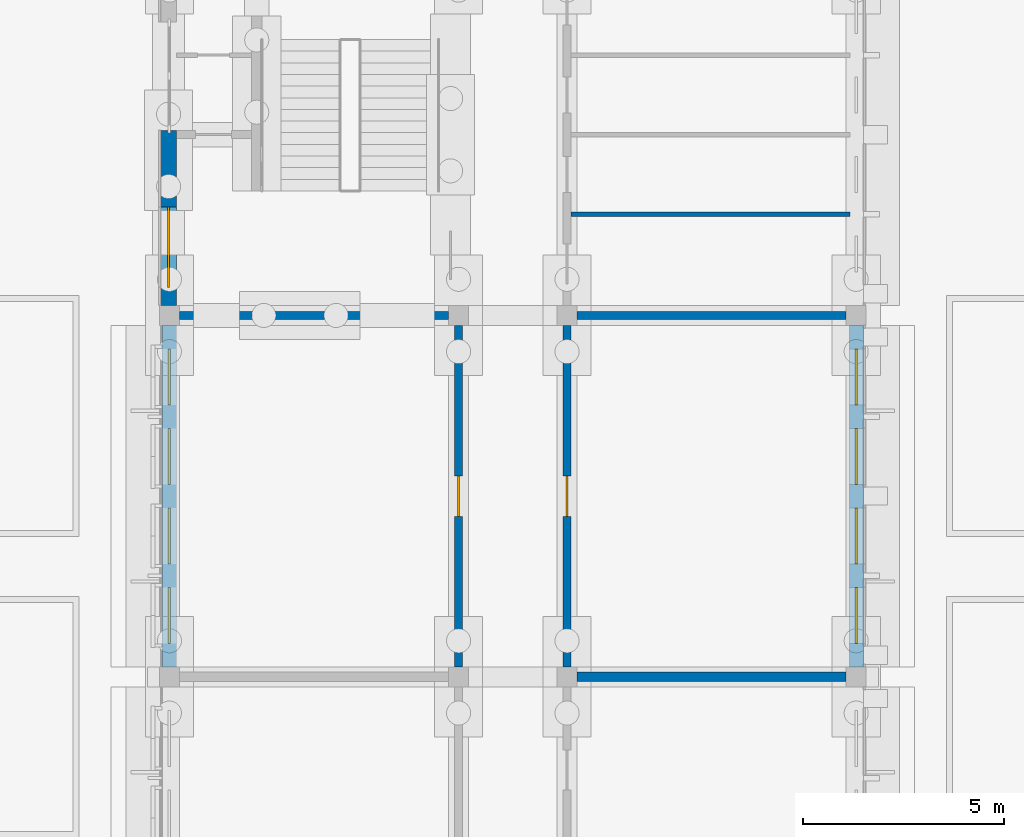
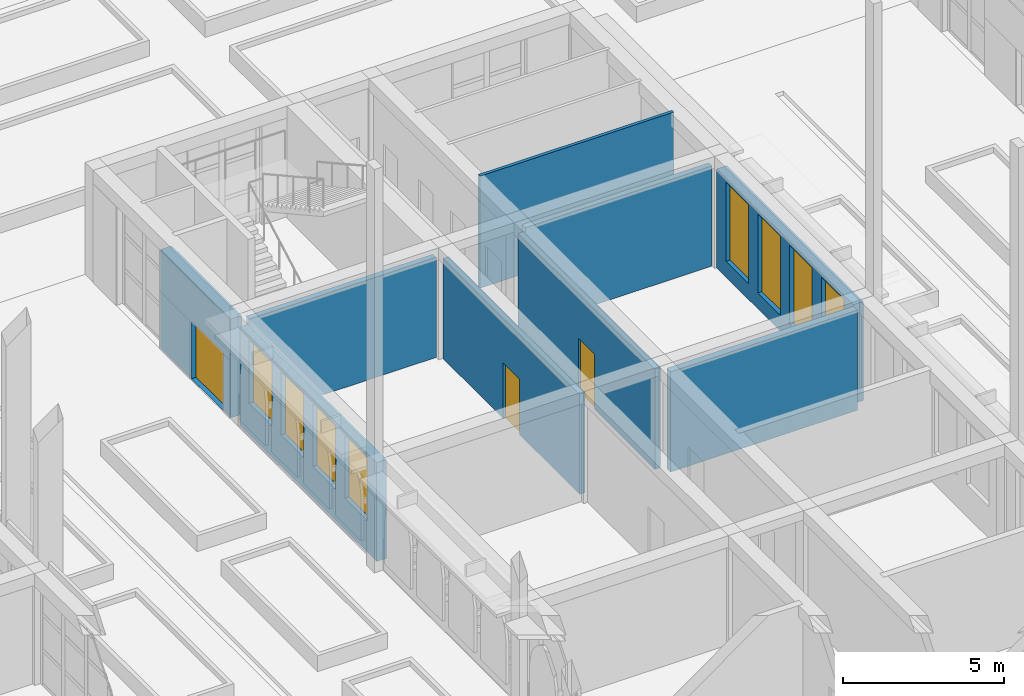
# One storey, part 64 of 161: 9 walls, 8 windows, 3 doors, 11 openings.
"""IFC4 building model written with IfcOpenShell, lengths in metres."""

import ifcopenshell
import ifcopenshell.guid

model = None  # the IFC model being written
_history = None  # IfcOwnerHistory: only IFC2X3 demands one
_inside = {}  # id of a spatial element -> (the spatial element, [elements in it])
_under = {}  # id of a project, library or spatial element -> (it, [spatial elements below it])
_declared = {}  # id of a project -> (the project, [libraries it declares])
_typed = {}  # id of a type object -> (the type object, [elements of that type])
_made_of = {}  # id of a material, layer set ... -> (it, [elements and type objects made of it])


def new_model(schema):
    """Start an empty IFC model of exactly this schema.

    Asked for "IFC4X3", IfcOpenShell would pick the latest addendum, in which some entities
    have other attributes; the version numbers below select the first issue.
    IFC2X3 requires an IfcOwnerHistory on every rooted entity: one is made here for all.
    """
    global model, _history
    if schema == "IFC4X3":
        model = ifcopenshell.file(schema_version=(4, 3, 0, 0))
    else:
        model = ifcopenshell.file(schema=schema)
    _inside.clear()
    _under.clear()
    _declared.clear()
    _typed.clear()
    _made_of.clear()
    _history = None
    if model.schema == "IFC2X3":
        org = make("IfcOrganization", Name="unknown")
        user = make(
            "IfcPersonAndOrganization",
            ThePerson=make("IfcPerson", FamilyName="unknown"),
            TheOrganization=org,
        )
        app = make(
            "IfcApplication",
            ApplicationDeveloper=org,
            Version="unknown",
            ApplicationFullName="unknown",
            ApplicationIdentifier="unknown",
        )
        _history = make(
            "IfcOwnerHistory",
            OwningUser=user,
            OwningApplication=app,
            ChangeAction="ADDED",
            CreationDate=0,
        )
    return model


def make(cls, **values):
    """One entity of the class cls with the attributes given. An attribute that is None is left unset."""
    return model.create_entity(
        cls, **{name: value for name, value in values.items() if value is not None}
    )


def rooted(cls, **values):
    """An entity with a GlobalId (a new one), such as an element, a storey or a relation."""
    return make(cls, GlobalId=ifcopenshell.guid.new(), OwnerHistory=_history, **values)


def si_unit(unit_type, name, prefix=None):
    """IfcSIUnit, for example si_unit("LENGTHUNIT", "METRE", prefix="MILLI")."""
    return make("IfcSIUnit", UnitType=unit_type, Prefix=prefix, Name=name)


def assignment(units):
    """IfcUnitAssignment: the units of a project."""
    return None if units is None else make("IfcUnitAssignment", Units=units)


def point(xyz):
    """IfcCartesianPoint."""
    return None if xyz is None else make("IfcCartesianPoint", Coordinates=xyz)


def direction(xyz):
    """IfcDirection."""
    return None if xyz is None else make("IfcDirection", DirectionRatios=xyz)


def frame(location, z_axis=None, x_axis=None):
    """IfcAxis2Placement3D, a coordinate frame: its origin and axes. An axis left out is left unset."""
    return make(
        "IfcAxis2Placement3D",
        Location=point(location),
        Axis=direction(z_axis),
        RefDirection=direction(x_axis),
    )


def frame_2d(location, x_axis=None):
    """IfcAxis2Placement2D, a coordinate frame in the plane: its origin and x axis."""
    return make(
        "IfcAxis2Placement2D", Location=point(location), RefDirection=direction(x_axis)
    )


def origin():
    """The frame at (0, 0, 0) with its axes left unset."""
    return frame((0.0, 0.0, 0.0))


def place(relative_to, where):
    """IfcLocalPlacement: puts the frame where relative to a parent placement (None: the world)."""
    return make(
        "IfcLocalPlacement", PlacementRelTo=relative_to, RelativePlacement=where
    )


def context(
    kind, dimensions, precision=None, world=None, true_north=None, identifier=None
):
    """IfcGeometricRepresentationContext, for example the 3D "Model" context."""
    return make(
        "IfcGeometricRepresentationContext",
        ContextIdentifier=identifier,
        ContextType=kind,
        CoordinateSpaceDimension=dimensions,
        Precision=precision,
        WorldCoordinateSystem=world,
        TrueNorth=true_north,
    )


def subcontext(parent, identifier, kind, view, scale=None):
    """IfcGeometricRepresentationSubContext, for example "Body" below "Model"."""
    return make(
        "IfcGeometricRepresentationSubContext",
        ContextIdentifier=identifier,
        ContextType=kind,
        ParentContext=parent,
        TargetScale=scale,
        TargetView=view,
    )


def project(units=None, contexts=None):
    """IfcProject with its units and contexts."""
    return rooted(
        "IfcProject",
        Name="project",
        RepresentationContexts=contexts,
        UnitsInContext=assignment(units),
    )


def spatial(cls, under=None, at=None, **own):
    """A site, building, storey or space (cls), placed at a placement, below another one or the project."""
    s = rooted(cls, ObjectPlacement=at, **own)
    if under is not None:
        _under.setdefault(under.id(), (under, []))[1].append(s)
    return s


def profile(cls, at=None, kind="AREA", **sizes):
    """A parametric profile (cls). Its sizes go by their IFC names, for example OverallWidth=200.0."""
    return make(cls, ProfileType=kind, Position=at, **sizes)


def rectangle(**sizes):
    """IfcRectangleProfileDef."""
    return profile("IfcRectangleProfileDef", **sizes)


def extrude(swept, where, along, depth):
    """IfcExtrudedAreaSolid: the profile swept, set in the frame where, extruded along a direction by depth."""
    return make(
        "IfcExtrudedAreaSolid",
        SweptArea=swept,
        Position=where,
        ExtrudedDirection=direction(along),
        Depth=depth,
    )


def shape(context_of_items, identifier, shape_type, items):
    """IfcShapeRepresentation: the items that make up one representation, for example the "Body"."""
    return make(
        "IfcShapeRepresentation",
        ContextOfItems=context_of_items,
        RepresentationIdentifier=identifier,
        RepresentationType=shape_type,
        Items=items,
    )


def material(Name=None, Category=None):
    """IfcMaterial."""
    return make("IfcMaterial", Name=Name, Category=Category)


def layer(
    of_material, thickness, ventilated=None, Name=None, Category=None, Priority=None
):
    """IfcMaterialLayer: one layer of a wall or slab, of a material (None: an air gap)."""
    return make(
        "IfcMaterialLayer",
        Material=of_material,
        LayerThickness=thickness,
        IsVentilated=ventilated,
        Name=Name,
        Category=Category,
        Priority=Priority,
    )


def layer_set(layers, Name=None):
    """IfcMaterialLayerSet."""
    return make("IfcMaterialLayerSet", MaterialLayers=layers, LayerSetName=Name)


def made_of(thing, what):
    """Note that an element or type object is made of a material, layer set ...; save() writes the relation."""
    if what is not None:
        _made_of.setdefault(what.id(), (what, []))[1].append(thing)
    return thing


def type_object(cls, material=None, **own):
    """A type object (cls), such as IfcWallType, which elements share."""
    return made_of(rooted(cls, **own), material)


def element(
    cls,
    number,
    at=None,
    inside=None,
    cuts=None,
    type_object=None,
    material=None,
    context=None,
    identifier="Body",
    shape_type=None,
    held_by="IfcProductDefinitionShape",
    body=None,
    shapes=None,
    **own,
):
    """One element of the class cls, such as IfcWall. Its Tag is "e" and its number.

    at: its placement. inside: the storey or other place that contains it. cuts: it is an
    opening in that element (IfcRelVoidsElement). A single representation is given by context,
    identifier, shape_type and body (its items); several are given by shapes. held_by: the class
    of the entity that holds the representations. save() writes the other relations.
    """
    e = rooted(cls, Tag="e%d" % number, ObjectPlacement=at, **own)
    if body is not None:
        shapes = [shape(context, identifier, shape_type, body)]
    if shapes is not None:
        e.Representation = make(held_by, Representations=shapes)
    if inside is not None:
        _inside.setdefault(inside.id(), (inside, []))[1].append(e)
    if cuts is not None:
        rooted(
            "IfcRelVoidsElement", RelatingBuildingElement=cuts, RelatedOpeningElement=e
        )
    if type_object is not None:
        _typed.setdefault(type_object.id(), (type_object, []))[1].append(e)
    return made_of(e, material)


def fill(opening, filler):
    """IfcRelFillsElement: the door or window that sits in an opening."""
    return rooted(
        "IfcRelFillsElement",
        RelatingOpeningElement=opening,
        RelatedBuildingElement=filler,
    )


def aggregate(whole, parts):
    """IfcRelAggregates: a whole, such as a stair, and the parts it consists of."""
    return rooted("IfcRelAggregates", RelatingObject=whole, RelatedObjects=parts)


def save(model, path):
    """Write the relations noted so far, then the file.

    IfcRelAggregates (storeys below a building ...), IfcRelContainedInSpatialStructure (elements
    in a storey), IfcRelDefinesByType, IfcRelAssociatesMaterial and IfcRelDeclares: one each for
    every whole, place, type object, material and project.
    """
    for whole, parts in _under.values():
        aggregate(whole, parts)
    for where, things in _inside.values():
        rooted(
            "IfcRelContainedInSpatialStructure",
            RelatedElements=things,
            RelatingStructure=where,
        )
    for kind, things in _typed.values():
        rooted("IfcRelDefinesByType", RelatedObjects=things, RelatingType=kind)
    for what, things in _made_of.values():
        rooted("IfcRelAssociatesMaterial", RelatedObjects=things, RelatingMaterial=what)
    for by, libraries in _declared.values():
        rooted("IfcRelDeclares", RelatingContext=by, RelatedDefinitions=libraries)
    model.write(path)


model = new_model("IFC4")

# Units and contexts
model_context = context("Model", 3, precision=1e-05, world=origin(), true_north=direction((0.0, 1.0)))
body_context = subcontext(model_context, "Body", "Model", "MODEL_VIEW")
ifc_project = project(units=[si_unit("LENGTHUNIT", "METRE"), si_unit("AREAUNIT", "SQUARE_METRE"), si_unit("VOLUMEUNIT", "CUBIC_METRE"), si_unit("PLANEANGLEUNIT", "RADIAN"), si_unit("MASSUNIT", "GRAM", prefix="KILO")], contexts=[model_context])

# Site, building, storey
site_placement = place(None, origin())
site = spatial("IfcSite", under=ifc_project, at=site_placement, CompositionType="ELEMENT")
building_placement = place(site_placement, origin())
building = spatial("IfcBuilding", under=site, at=building_placement, Name="Elbe Cascade School", CompositionType="ELEMENT")
storey_placement = place(building_placement, origin())
storey = spatial("IfcBuildingStorey", under=building, at=storey_placement, Name="L00", CompositionType="ELEMENT", Elevation=0.0)

# Wall
ifc_material_1 = material(Name="Masonry - lime-sand block, plastered", Category="masonry")
ifc_layer_1 = layer(ifc_material_1, 0.239990234375)
ifc_layer_set_1 = layer_set([ifc_layer_1], Name="Masonry - lime-sand block, plastered")
wall_type_1 = type_object("IfcWallType", Name="Bar acoustic partition wall lime-sand block 240", PredefinedType="PARTITIONING", material=ifc_layer_set_1)
wall_1_placement = place(storey_placement, frame((108.75, 42.0, 0.0), z_axis=(0.0, 0.0, 1.0), x_axis=(1.0, 0.0, 0.0)))
element("IfcWall", 1, at=wall_1_placement, inside=storey, type_object=wall_type_1, Name="Bar acoustic partition wall lime-sand block 240", PredefinedType="PARTITIONING", context=body_context, shape_type="SweptSolid", body=[
    extrude(rectangle(XDim=6.699951171875, YDim=0.239990234375, at=frame_2d((3.35009765625, 0.0))), origin(), (0.0, 0.0, 1.0), 3.800048828125),
])

# Wall, opening, door
ifc_material_2 = material(Name="Masonry - lime-sand block, plastered", Category="masonry")
ifc_layer_2 = layer(ifc_material_2, 0.199951171875)
ifc_layer_set_2 = layer_set([ifc_layer_2], Name="Masonry - lime-sand block, plastered")
wall_type_2 = type_object("IfcWallType", Name="Bar corridor wall lime-sand block 200 EI 30", PredefinedType="PARTITIONING", material=ifc_layer_set_2)
wall_2_placement = place(storey_placement, frame((105.800048828125, 42.25, 0.0), z_axis=(0.0, 0.0, 1.0), x_axis=(0.0, 1.0, 0.0)))
wall_2 = element("IfcWall", 2, at=wall_2_placement, inside=storey, type_object=wall_type_2, Name="Bar corridor wall lime-sand block 200 EI 30", PredefinedType="PARTITIONING", context=body_context, shape_type="SweptSolid", body=[
    extrude(rectangle(XDim=8.5, YDim=0.199951171875, at=frame_2d((4.25, 0.0))), origin(), (0.0, 0.0, 1.0), 3.800048828125),
])
opening_1_placement = place(wall_2_placement, frame((3.75, 0.0, 0.0)))
opening_1 = element("IfcOpeningElement", 3, at=opening_1_placement, cuts=wall_2, Name="Opening D0.055", PredefinedType="OPENING", context=body_context, shape_type="SweptSolid", body=[
    extrude(rectangle(XDim=1.0, YDim=2.10009765625, at=frame_2d((0.5, 1.050048828125))), frame((0.0, 0.10986328125, 0.0), z_axis=(0.0, -1.0, 0.0), x_axis=(1.0, 0.0, 0.0)), (0.0, 0.0, 1.0), 0.219970703125),
])
ifc_material_3 = material(Name="Timber door leaf, fire-resisting, steel frame", Category="steel")
door_type_1 = type_object("IfcDoorType", Name="Bar door FD30 1000x2100", OperationType="NOTDEFINED", PredefinedType="DOOR", material=ifc_material_3)
door_1_placement = place(opening_1_placement, origin())
door_1 = element("IfcDoor", 4, at=door_1_placement, inside=storey, type_object=door_type_1, Name="Door B0.23", OperationType="SINGLE_SWING_RIGHT", OverallHeight=2.10009765625, OverallWidth=1.0, PredefinedType="DOOR", context=body_context, shape_type="SweptSolid", body=[
    extrude(rectangle(XDim=1.0, YDim=2.10009765625, at=frame_2d((0.5, 1.050048828125))), frame((0.0, 0.02490234375, 0.0), z_axis=(0.0, -1.0, 0.0), x_axis=(1.0, 0.0, 0.0)), (0.0, 0.0, 1.0), 0.050048828125),
])
fill(opening_1, door_1)

wall_3_placement = place(storey_placement, frame((108.5, 50.75, 0.0), z_axis=(0.0, 0.0, 1.0), x_axis=(0.0, -1.0, 0.0)))
wall_3 = element("IfcWall", 5, at=wall_3_placement, inside=storey, type_object=wall_type_2, Name="Bar corridor wall lime-sand block 200 EI 30", PredefinedType="PARTITIONING", context=body_context, shape_type="SweptSolid", body=[
    extrude(rectangle(XDim=8.5, YDim=0.199951171875, at=frame_2d((4.25, 0.0))), origin(), (0.0, 0.0, 1.0), 3.800048828125),
])
opening_2_placement = place(wall_3_placement, frame((3.75, 0.0, 0.0)))
opening_2 = element("IfcOpeningElement", 6, at=opening_2_placement, cuts=wall_3, Name="Opening D0.056", PredefinedType="OPENING", context=body_context, shape_type="SweptSolid", body=[
    extrude(rectangle(XDim=1.0, YDim=2.10009765625, at=frame_2d((0.5, 1.050048828125))), frame((0.0, 0.10986328125, 0.0), z_axis=(0.0, -1.0, 0.0), x_axis=(1.0, 0.0, 0.0)), (0.0, 0.0, 1.0), 0.219970703125),
])
door_2_placement = place(opening_2_placement, origin())
door_2 = element("IfcDoor", 7, at=door_2_placement, inside=storey, type_object=door_type_1, Name="Door B0.28", OperationType="SINGLE_SWING_LEFT", OverallHeight=2.10009765625, OverallWidth=1.0, PredefinedType="DOOR", context=body_context, shape_type="SweptSolid", body=[
    extrude(rectangle(XDim=1.0, YDim=2.10009765625, at=frame_2d((0.5, 1.050048828125))), frame((0.0, 0.02490234375, 0.0), z_axis=(0.0, -1.0, 0.0), x_axis=(1.0, 0.0, 0.0)), (0.0, 0.0, 1.0), 0.050048828125),
])
fill(opening_2, door_2)

# Walls
ifc_material_4 = material(Name="Masonry - lime-sand block, plastered", Category="masonry")
ifc_layer_3 = layer(ifc_material_4, 0.114990234375)
ifc_layer_set_3 = layer_set([ifc_layer_3], Name="Masonry - lime-sand block, plastered")
wall_type_3 = type_object("IfcWallType", Name="Bar light partition wall lime-sand block 115", PredefinedType="PARTITIONING", material=ifc_layer_set_3)
wall_4_placement = place(storey_placement, frame((108.60009765625, 53.52001953125, 0.0), z_axis=(0.0, 0.0, 1.0), x_axis=(1.0, 0.0, 0.0)))
element("IfcWall", 8, at=wall_4_placement, inside=storey, type_object=wall_type_3, Name="Bar light partition wall lime-sand block 115", PredefinedType="PARTITIONING", context=body_context, shape_type="SweptSolid", body=[
    extrude(rectangle(XDim=6.949951171875, YDim=0.114990234375, at=frame_2d((3.47509765625, 0.0))), origin(), (0.0, 0.0, 1.0), 4.25),
])
ifc_material_5 = material(Name="Masonry - lime-sand block, plastered", Category="masonry")
ifc_layer_4 = layer(ifc_material_5, 0.199951171875)
ifc_layer_set_4 = layer_set([ifc_layer_4], Name="Masonry - lime-sand block, plastered")
wall_type_4 = type_object("IfcWallType", Name="Bar partition wall lime-sand block 200", PredefinedType="PARTITIONING", material=ifc_layer_set_4)
wall_5_placement = place(storey_placement, frame((108.75, 51.0, 0.0), z_axis=(0.0, 0.0, 1.0), x_axis=(1.0, 0.0, 0.0)))
element("IfcWall", 9, at=wall_5_placement, inside=storey, type_object=wall_type_4, Name="Bar partition wall lime-sand block 200", PredefinedType="PARTITIONING", context=body_context, shape_type="SweptSolid", body=[
    extrude(rectangle(XDim=6.699951171875, YDim=0.199951171875, at=frame_2d((3.35009765625, 0.0))), origin(), (0.0, 0.0, 1.0), 3.800048828125),
])
ifc_material_6 = material(Name="Concrete C30/37", Category="concrete")
ifc_layer_5 = layer(ifc_material_6, 0.199951171875)
ifc_layer_set_5 = layer_set([ifc_layer_5], Name="Concrete C30/37")
wall_type_5 = type_object("IfcWallType", Name="Bar stair lobby wall RC 200", PredefinedType="SOLIDWALL", material=ifc_layer_set_5)
wall_6_placement = place(storey_placement, frame((98.85009765625, 51.0, 0.0), z_axis=(0.0, 0.0, 1.0), x_axis=(1.0, 0.0, 0.0)))
element("IfcWall", 10, at=wall_6_placement, inside=storey, type_object=wall_type_5, Name="Bar stair lobby wall RC 200", PredefinedType="SOLIDWALL", context=body_context, shape_type="SweptSolid", body=[
    extrude(rectangle(XDim=6.699951171875, YDim=0.199951171875, at=frame_2d((3.35009765625, 0.0))), origin(), (0.0, 0.0, 1.0), 3.800048828125),
])

# Wall, openings, windows
ifc_material_7 = material(Name="Brick masonry - red clinker, cavity wall with render backing", Category="masonry")
ifc_layer_6 = layer(ifc_material_7, 0.360107421875)
ifc_layer_set_6 = layer_set([ifc_layer_6], Name="Brick masonry - red clinker, cavity wall with render backing")
wall_type_6 = type_object("IfcWallType", Name="Bars envelope External wall - clinker brick cavity, 360 ground floor", PredefinedType="STANDARD", material=ifc_layer_set_6)
wall_7_placement = place(storey_placement, frame((98.60009765625, 42.25, 0.0), z_axis=(0.0, 0.0, 1.0), x_axis=(0.0, 1.0, 0.0)))
wall_7 = element("IfcWall", 11, at=wall_7_placement, inside=storey, type_object=wall_type_6, Name="External wall W29 B.L00.w5", PredefinedType="STANDARD", context=body_context, shape_type="SweptSolid", body=[
    extrude(rectangle(XDim=8.5, YDim=0.360107421875, at=frame_2d((4.25, 0.0))), origin(), (0.0, 0.0, 1.0), 3.75),
])
opening_3_placement = place(wall_7_placement, frame((0.580078125, 0.0, 1.199951171875)))
opening_3 = element("IfcOpeningElement", 12, at=opening_3_placement, cuts=wall_7, Name="Opening W0.041", PredefinedType="OPENING", context=body_context, shape_type="SweptSolid", body=[
    extrude(rectangle(XDim=1.39990234375, YDim=2.39990234375, at=frame_2d((0.699951171875, 1.199951171875))), frame((0.0, 0.18994140625, 0.0), z_axis=(0.0, -1.0, 0.0), x_axis=(1.0, 0.0, 0.0)), (0.0, 0.0, 1.0), 0.380126953125),
])
opening_4_placement = place(wall_7_placement, frame((2.56005859375, 0.0, 1.199951171875)))
opening_4 = element("IfcOpeningElement", 13, at=opening_4_placement, cuts=wall_7, Name="Opening W0.043", PredefinedType="OPENING", context=body_context, shape_type="SweptSolid", body=[
    extrude(rectangle(XDim=1.39990234375, YDim=2.39990234375, at=frame_2d((0.699951171875, 1.199951171875))), frame((0.0, 0.18994140625, 0.0), z_axis=(0.0, -1.0, 0.0), x_axis=(1.0, 0.0, 0.0)), (0.0, 0.0, 1.0), 0.380126953125),
])
opening_5_placement = place(wall_7_placement, frame((4.5400390625, 0.0, 1.199951171875)))
opening_5 = element("IfcOpeningElement", 14, at=opening_5_placement, cuts=wall_7, Name="Opening W0.045", PredefinedType="OPENING", context=body_context, shape_type="SweptSolid", body=[
    extrude(rectangle(XDim=1.39990234375, YDim=2.39990234375, at=frame_2d((0.699951171875, 1.199951171875))), frame((0.0, 0.18994140625, 0.0), z_axis=(0.0, -1.0, 0.0), x_axis=(1.0, 0.0, 0.0)), (0.0, 0.0, 1.0), 0.380126953125),
])
opening_6_placement = place(wall_7_placement, frame((6.52001953125, 0.0, 1.199951171875)))
opening_6 = element("IfcOpeningElement", 15, at=opening_6_placement, cuts=wall_7, Name="Opening W0.047", PredefinedType="OPENING", context=body_context, shape_type="SweptSolid", body=[
    extrude(rectangle(XDim=1.39990234375, YDim=2.39990234375, at=frame_2d((0.699951171875, 1.199951171875))), frame((0.0, 0.18994140625, 0.0), z_axis=(0.0, -1.0, 0.0), x_axis=(1.0, 0.0, 0.0)), (0.0, 0.0, 1.0), 0.380126953125),
])
ifc_material_8 = material(Name="Aluminium frame with double glazing, bronze anodised", Category="aluminium")
window_type_1 = type_object("IfcWindowType", Name="Bars envelope Window 1400 x 2400, music and art studio, high sill, aluminium double glazed", PartitioningType="DOUBLE_PANEL_VERTICAL", PredefinedType="WINDOW", material=ifc_material_8)
window_1_placement = place(opening_3_placement, origin())
window_1 = element("IfcWindow", 16, at=window_1_placement, inside=storey, type_object=window_type_1, Name="Window WN11 B.L00.w5.1", OverallHeight=2.39990234375, OverallWidth=1.39990234375, PartitioningType="DOUBLE_PANEL_VERTICAL", PredefinedType="WINDOW", context=body_context, shape_type="SweptSolid", body=[
    extrude(rectangle(XDim=1.39990234375, YDim=2.39990234375, at=frame_2d((0.699951171875, 1.199951171875))), frame((0.0, 0.030029296875, 0.0), z_axis=(0.0, -1.0, 0.0), x_axis=(1.0, 0.0, 0.0)), (0.0, 0.0, 1.0), 0.06005859375),
])
fill(opening_3, window_1)
window_2_placement = place(opening_4_placement, origin())
window_2 = element("IfcWindow", 17, at=window_2_placement, inside=storey, type_object=window_type_1, Name="Window WN11 B.L00.w5.2", OverallHeight=2.39990234375, OverallWidth=1.39990234375, PartitioningType="DOUBLE_PANEL_VERTICAL", PredefinedType="WINDOW", context=body_context, shape_type="SweptSolid", body=[
    extrude(rectangle(XDim=1.39990234375, YDim=2.39990234375, at=frame_2d((0.699951171875, 1.199951171875))), frame((0.0, 0.030029296875, 0.0), z_axis=(0.0, -1.0, 0.0), x_axis=(1.0, 0.0, 0.0)), (0.0, 0.0, 1.0), 0.06005859375),
])
fill(opening_4, window_2)
window_3_placement = place(opening_5_placement, origin())
window_3 = element("IfcWindow", 18, at=window_3_placement, inside=storey, type_object=window_type_1, Name="Window WN11 B.L00.w5.3", OverallHeight=2.39990234375, OverallWidth=1.39990234375, PartitioningType="DOUBLE_PANEL_VERTICAL", PredefinedType="WINDOW", context=body_context, shape_type="SweptSolid", body=[
    extrude(rectangle(XDim=1.39990234375, YDim=2.39990234375, at=frame_2d((0.699951171875, 1.199951171875))), frame((0.0, 0.030029296875, 0.0), z_axis=(0.0, -1.0, 0.0), x_axis=(1.0, 0.0, 0.0)), (0.0, 0.0, 1.0), 0.06005859375),
])
fill(opening_5, window_3)
window_4_placement = place(opening_6_placement, origin())
window_4 = element("IfcWindow", 19, at=window_4_placement, inside=storey, type_object=window_type_1, Name="Window WN11 B.L00.w5.4", OverallHeight=2.39990234375, OverallWidth=1.39990234375, PartitioningType="DOUBLE_PANEL_VERTICAL", PredefinedType="WINDOW", context=body_context, shape_type="SweptSolid", body=[
    extrude(rectangle(XDim=1.39990234375, YDim=2.39990234375, at=frame_2d((0.699951171875, 1.199951171875))), frame((0.0, 0.030029296875, 0.0), z_axis=(0.0, -1.0, 0.0), x_axis=(1.0, 0.0, 0.0)), (0.0, 0.0, 1.0), 0.06005859375),
])
fill(opening_6, window_4)

wall_8_placement = place(storey_placement, frame((115.699951171875, 50.75, 0.0), z_axis=(0.0, 0.0, 1.0), x_axis=(0.0, -1.0, 0.0)))
wall_8 = element("IfcWall", 20, at=wall_8_placement, inside=storey, type_object=wall_type_6, Name="External wall W29 B.L00.e5", PredefinedType="STANDARD", context=body_context, shape_type="SweptSolid", body=[
    extrude(rectangle(XDim=8.5, YDim=0.360107421875, at=frame_2d((4.25, 0.0))), origin(), (0.0, 0.0, 1.0), 3.75),
])
opening_7_placement = place(wall_8_placement, frame((6.52001953125, 0.0, 0.60009765625)))
opening_7 = element("IfcOpeningElement", 21, at=opening_7_placement, cuts=wall_8, Name="Opening W0.042", PredefinedType="OPENING", context=body_context, shape_type="SweptSolid", body=[
    extrude(rectangle(XDim=1.39990234375, YDim=3.0, at=frame_2d((0.699951171875, 1.5))), frame((0.0, 0.18994140625, 0.0), z_axis=(0.0, -1.0, 0.0), x_axis=(1.0, 0.0, 0.0)), (0.0, 0.0, 1.0), 0.380126953125),
])
opening_8_placement = place(wall_8_placement, frame((4.5400390625, 0.0, 0.60009765625)))
opening_8 = element("IfcOpeningElement", 22, at=opening_8_placement, cuts=wall_8, Name="Opening W0.044", PredefinedType="OPENING", context=body_context, shape_type="SweptSolid", body=[
    extrude(rectangle(XDim=1.39990234375, YDim=3.0, at=frame_2d((0.699951171875, 1.5))), frame((0.0, 0.18994140625, 0.0), z_axis=(0.0, -1.0, 0.0), x_axis=(1.0, 0.0, 0.0)), (0.0, 0.0, 1.0), 0.380126953125),
])
opening_9_placement = place(wall_8_placement, frame((2.56005859375, 0.0, 0.60009765625)))
opening_9 = element("IfcOpeningElement", 23, at=opening_9_placement, cuts=wall_8, Name="Opening W0.046", PredefinedType="OPENING", context=body_context, shape_type="SweptSolid", body=[
    extrude(rectangle(XDim=1.39990234375, YDim=3.0, at=frame_2d((0.699951171875, 1.5))), frame((0.0, 0.18994140625, 0.0), z_axis=(0.0, -1.0, 0.0), x_axis=(1.0, 0.0, 0.0)), (0.0, 0.0, 1.0), 0.380126953125),
])
opening_10_placement = place(wall_8_placement, frame((0.580078125, 0.0, 0.60009765625)))
opening_10 = element("IfcOpeningElement", 24, at=opening_10_placement, cuts=wall_8, Name="Opening W0.048", PredefinedType="OPENING", context=body_context, shape_type="SweptSolid", body=[
    extrude(rectangle(XDim=1.39990234375, YDim=3.0, at=frame_2d((0.699951171875, 1.5))), frame((0.0, 0.18994140625, 0.0), z_axis=(0.0, -1.0, 0.0), x_axis=(1.0, 0.0, 0.0)), (0.0, 0.0, 1.0), 0.380126953125),
])
ifc_material_9 = material(Name="Aluminium frame with double glazing, bronze anodised", Category="aluminium")
window_type_2 = type_object("IfcWindowType", Name="Bars envelope Window 1400 x 3000, classroom, aluminium double glazed", PartitioningType="DOUBLE_PANEL_VERTICAL", PredefinedType="WINDOW", material=ifc_material_9)
window_5_placement = place(opening_7_placement, origin())
window_5 = element("IfcWindow", 25, at=window_5_placement, inside=storey, type_object=window_type_2, Name="Window WN12 B.L00.e5.1", OverallHeight=3.0, OverallWidth=1.39990234375, PartitioningType="DOUBLE_PANEL_VERTICAL", PredefinedType="WINDOW", context=body_context, shape_type="SweptSolid", body=[
    extrude(rectangle(XDim=1.39990234375, YDim=3.0, at=frame_2d((0.699951171875, 1.5))), frame((0.0, 0.030029296875, 0.0), z_axis=(0.0, -1.0, 0.0), x_axis=(1.0, 0.0, 0.0)), (0.0, 0.0, 1.0), 0.06005859375),
])
fill(opening_7, window_5)
window_6_placement = place(opening_8_placement, origin())
window_6 = element("IfcWindow", 26, at=window_6_placement, inside=storey, type_object=window_type_2, Name="Window WN12 B.L00.e5.2", OverallHeight=3.0, OverallWidth=1.39990234375, PartitioningType="DOUBLE_PANEL_VERTICAL", PredefinedType="WINDOW", context=body_context, shape_type="SweptSolid", body=[
    extrude(rectangle(XDim=1.39990234375, YDim=3.0, at=frame_2d((0.699951171875, 1.5))), frame((0.0, 0.030029296875, 0.0), z_axis=(0.0, -1.0, 0.0), x_axis=(1.0, 0.0, 0.0)), (0.0, 0.0, 1.0), 0.06005859375),
])
fill(opening_8, window_6)
window_7_placement = place(opening_9_placement, origin())
window_7 = element("IfcWindow", 27, at=window_7_placement, inside=storey, type_object=window_type_2, Name="Window WN12 B.L00.e5.3", OverallHeight=3.0, OverallWidth=1.39990234375, PartitioningType="DOUBLE_PANEL_VERTICAL", PredefinedType="WINDOW", context=body_context, shape_type="SweptSolid", body=[
    extrude(rectangle(XDim=1.39990234375, YDim=3.0, at=frame_2d((0.699951171875, 1.5))), frame((0.0, 0.030029296875, 0.0), z_axis=(0.0, -1.0, 0.0), x_axis=(1.0, 0.0, 0.0)), (0.0, 0.0, 1.0), 0.06005859375),
])
fill(opening_9, window_7)
window_8_placement = place(opening_10_placement, origin())
window_8 = element("IfcWindow", 28, at=window_8_placement, inside=storey, type_object=window_type_2, Name="Window WN12 B.L00.e5.4", OverallHeight=3.0, OverallWidth=1.39990234375, PartitioningType="DOUBLE_PANEL_VERTICAL", PredefinedType="WINDOW", context=body_context, shape_type="SweptSolid", body=[
    extrude(rectangle(XDim=1.39990234375, YDim=3.0, at=frame_2d((0.699951171875, 1.5))), frame((0.0, 0.030029296875, 0.0), z_axis=(0.0, -1.0, 0.0), x_axis=(1.0, 0.0, 0.0)), (0.0, 0.0, 1.0), 0.06005859375),
])
fill(opening_10, window_8)

# Wall, opening, door
ifc_material_10 = material(Name="Brick masonry - red clinker, solid, sandstone-faced", Category="masonry")
ifc_layer_7 = layer(ifc_material_10, 0.39990234375)
ifc_layer_set_7 = layer_set([ifc_layer_7], Name="Brick masonry - red clinker, solid, sandstone-faced")
wall_type_7 = type_object("IfcWallType", Name="Bars envelope External wall - solid masonry core strip, sandstone faced, 400", PredefinedType="STANDARD", material=ifc_layer_set_7)
wall_9_placement = place(storey_placement, frame((98.580078125, 51.25, 0.0), z_axis=(0.0, 0.0, 1.0), x_axis=(0.0, 1.0, 0.0)))
wall_9 = element("IfcWall", 29, at=wall_9_placement, inside=storey, type_object=wall_type_7, Name="External wall W31 B.L00.w6a", PredefinedType="STANDARD", context=body_context, shape_type="SweptSolid", body=[
    extrude(rectangle(XDim=4.360107421875, YDim=0.39990234375, at=frame_2d((2.18017578125, 0.0))), origin(), (0.0, 0.0, 1.0), 3.75),
])
opening_11_placement = place(wall_9_placement, frame((0.449951171875, 0.0, 0.0)))
opening_11 = element("IfcOpeningElement", 30, at=opening_11_placement, cuts=wall_9, Name="Opening D0.059", PredefinedType="OPENING", context=body_context, shape_type="SweptSolid", body=[
    extrude(rectangle(XDim=2.0, YDim=2.199951171875, at=frame_2d((1.0, 1.10009765625))), frame((0.0, 0.2099609375, 0.0), z_axis=(0.0, -1.0, 0.0), x_axis=(1.0, 0.0, 0.0)), (0.0, 0.0, 1.0), 0.419921875),
])
ifc_material_11 = material(Name="Steel door set, fire resisting", Category="steel")
door_type_2 = type_object("IfcDoorType", Name="Bars envelope Stair exit door, double leaf, 2000 x 2200, fire resisting", OperationType="DOUBLE_DOOR_SINGLE_SWING", PredefinedType="DOOR", material=ifc_material_11)
door_3_placement = place(opening_11_placement, origin())
door_3 = element("IfcDoor", 31, at=door_3_placement, inside=storey, type_object=door_type_2, Name="Stair exit door D12 B.L00.w6a", OperationType="DOUBLE_DOOR_SINGLE_SWING", OverallHeight=2.199951171875, OverallWidth=2.0, PredefinedType="DOOR", context=body_context, shape_type="SweptSolid", body=[
    extrude(rectangle(XDim=2.0, YDim=2.199951171875, at=frame_2d((1.0, 1.10009765625))), frame((0.0, 0.02490234375, 0.0), z_axis=(0.0, -1.0, 0.0), x_axis=(1.0, 0.0, 0.0)), (0.0, 0.0, 1.0), 0.050048828125),
])
fill(opening_11, door_3)

save(model, "model.ifc")
